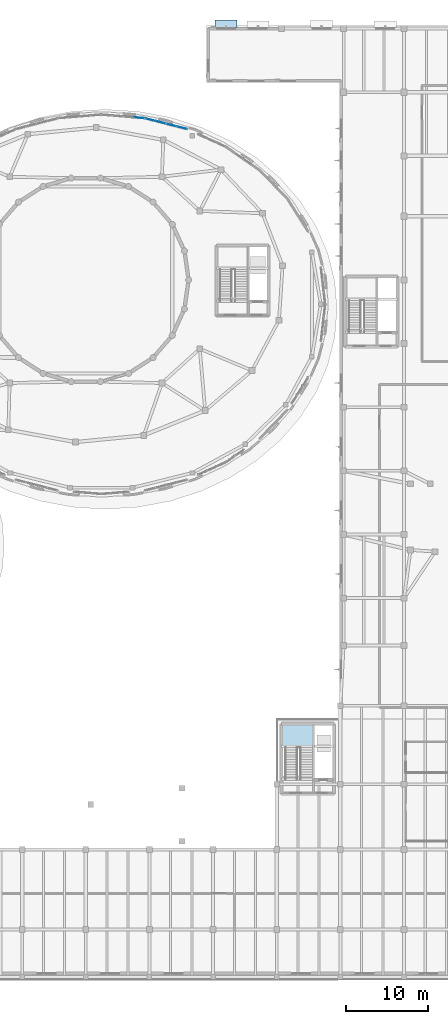
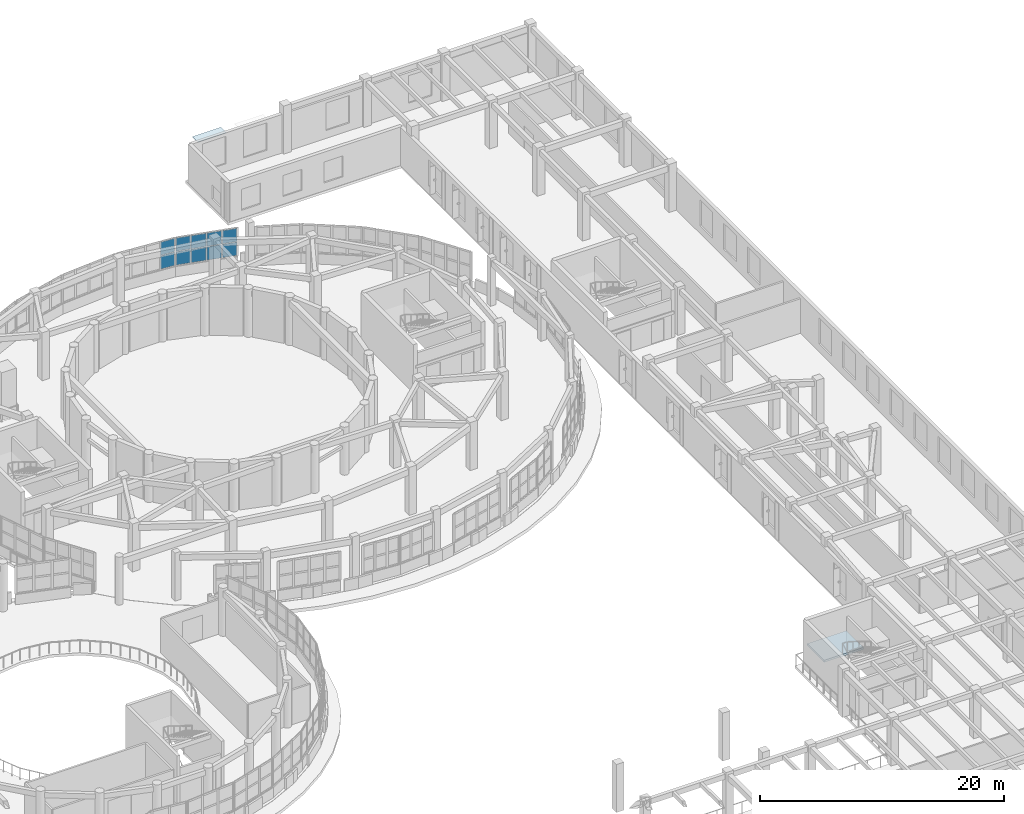
# One storey, part 65 of 98: 11 plates, 1 slab, 3 elements without a shape of their own.
"""IFC4 building model written with IfcOpenShell, lengths in metres."""

import ifcopenshell
import ifcopenshell.guid

model = None  # the IFC model being written
_history = None  # IfcOwnerHistory: only IFC2X3 demands one
_inside = {}  # id of a spatial element -> (the spatial element, [elements in it])
_under = {}  # id of a project, library or spatial element -> (it, [spatial elements below it])
_declared = {}  # id of a project -> (the project, [libraries it declares])
_typed = {}  # id of a type object -> (the type object, [elements of that type])
_made_of = {}  # id of a material, layer set ... -> (it, [elements and type objects made of it])


def new_model(schema):
    """Start an empty IFC model of exactly this schema.

    Asked for "IFC4X3", IfcOpenShell would pick the latest addendum, in which some entities
    have other attributes; the version numbers below select the first issue.
    IFC2X3 requires an IfcOwnerHistory on every rooted entity: one is made here for all.
    """
    global model, _history
    if schema == "IFC4X3":
        model = ifcopenshell.file(schema_version=(4, 3, 0, 0))
    else:
        model = ifcopenshell.file(schema=schema)
    _inside.clear()
    _under.clear()
    _declared.clear()
    _typed.clear()
    _made_of.clear()
    _history = None
    if model.schema == "IFC2X3":
        org = make("IfcOrganization", Name="unknown")
        user = make(
            "IfcPersonAndOrganization",
            ThePerson=make("IfcPerson", FamilyName="unknown"),
            TheOrganization=org,
        )
        app = make(
            "IfcApplication",
            ApplicationDeveloper=org,
            Version="unknown",
            ApplicationFullName="unknown",
            ApplicationIdentifier="unknown",
        )
        _history = make(
            "IfcOwnerHistory",
            OwningUser=user,
            OwningApplication=app,
            ChangeAction="ADDED",
            CreationDate=0,
        )
    return model


def make(cls, **values):
    """One entity of the class cls with the attributes given. An attribute that is None is left unset."""
    return model.create_entity(
        cls, **{name: value for name, value in values.items() if value is not None}
    )


def rooted(cls, **values):
    """An entity with a GlobalId (a new one), such as an element, a storey or a relation."""
    return make(cls, GlobalId=ifcopenshell.guid.new(), OwnerHistory=_history, **values)


def si_unit(unit_type, name, prefix=None):
    """IfcSIUnit, for example si_unit("LENGTHUNIT", "METRE", prefix="MILLI")."""
    return make("IfcSIUnit", UnitType=unit_type, Prefix=prefix, Name=name)


def assignment(units):
    """IfcUnitAssignment: the units of a project."""
    return None if units is None else make("IfcUnitAssignment", Units=units)


def point(xyz):
    """IfcCartesianPoint."""
    return None if xyz is None else make("IfcCartesianPoint", Coordinates=xyz)


def direction(xyz):
    """IfcDirection."""
    return None if xyz is None else make("IfcDirection", DirectionRatios=xyz)


def frame(location, z_axis=None, x_axis=None):
    """IfcAxis2Placement3D, a coordinate frame: its origin and axes. An axis left out is left unset."""
    return make(
        "IfcAxis2Placement3D",
        Location=point(location),
        Axis=direction(z_axis),
        RefDirection=direction(x_axis),
    )


def frame_2d(location, x_axis=None):
    """IfcAxis2Placement2D, a coordinate frame in the plane: its origin and x axis."""
    return make(
        "IfcAxis2Placement2D", Location=point(location), RefDirection=direction(x_axis)
    )


def origin():
    """The frame at (0, 0, 0) with its axes left unset."""
    return frame((0.0, 0.0, 0.0))


def origin_2d():
    """The frame at (0, 0) in the plane with its x axis left unset."""
    return frame_2d((0.0, 0.0))


def place(relative_to, where):
    """IfcLocalPlacement: puts the frame where relative to a parent placement (None: the world)."""
    return make(
        "IfcLocalPlacement", PlacementRelTo=relative_to, RelativePlacement=where
    )


def context(
    kind, dimensions, precision=None, world=None, true_north=None, identifier=None
):
    """IfcGeometricRepresentationContext, for example the 3D "Model" context."""
    return make(
        "IfcGeometricRepresentationContext",
        ContextIdentifier=identifier,
        ContextType=kind,
        CoordinateSpaceDimension=dimensions,
        Precision=precision,
        WorldCoordinateSystem=world,
        TrueNorth=true_north,
    )


def subcontext(parent, identifier, kind, view, scale=None):
    """IfcGeometricRepresentationSubContext, for example "Body" below "Model"."""
    return make(
        "IfcGeometricRepresentationSubContext",
        ContextIdentifier=identifier,
        ContextType=kind,
        ParentContext=parent,
        TargetScale=scale,
        TargetView=view,
    )


def project(units=None, contexts=None):
    """IfcProject with its units and contexts."""
    return rooted(
        "IfcProject",
        Name="project",
        RepresentationContexts=contexts,
        UnitsInContext=assignment(units),
    )


def spatial(cls, under=None, at=None, **own):
    """A site, building, storey or space (cls), placed at a placement, below another one or the project."""
    s = rooted(cls, ObjectPlacement=at, **own)
    if under is not None:
        _under.setdefault(under.id(), (under, []))[1].append(s)
    return s


def polyline(points):
    """IfcPolyline through the points."""
    return make("IfcPolyline", Points=[point(p) for p in points])


def profile(cls, at=None, kind="AREA", **sizes):
    """A parametric profile (cls). Its sizes go by their IFC names, for example OverallWidth=200.0."""
    return make(cls, ProfileType=kind, Position=at, **sizes)


def rectangle(**sizes):
    """IfcRectangleProfileDef."""
    return profile("IfcRectangleProfileDef", **sizes)


def outline(outer, holes=None, kind="AREA"):
    """IfcArbitraryClosedProfileDef: a profile drawn as a closed curve; with holes, ...WithVoids."""
    if holes is None:
        return make("IfcArbitraryClosedProfileDef", ProfileType=kind, OuterCurve=outer)
    return make(
        "IfcArbitraryProfileDefWithVoids",
        ProfileType=kind,
        OuterCurve=outer,
        InnerCurves=holes,
    )


def extrude(swept, where, along, depth):
    """IfcExtrudedAreaSolid: the profile swept, set in the frame where, extruded along a direction by depth."""
    return make(
        "IfcExtrudedAreaSolid",
        SweptArea=swept,
        Position=where,
        ExtrudedDirection=direction(along),
        Depth=depth,
    )


def shape(context_of_items, identifier, shape_type, items):
    """IfcShapeRepresentation: the items that make up one representation, for example the "Body"."""
    return make(
        "IfcShapeRepresentation",
        ContextOfItems=context_of_items,
        RepresentationIdentifier=identifier,
        RepresentationType=shape_type,
        Items=items,
    )


def material(Name=None, Category=None):
    """IfcMaterial."""
    return make("IfcMaterial", Name=Name, Category=Category)


def layer(
    of_material, thickness, ventilated=None, Name=None, Category=None, Priority=None
):
    """IfcMaterialLayer: one layer of a wall or slab, of a material (None: an air gap)."""
    return make(
        "IfcMaterialLayer",
        Material=of_material,
        LayerThickness=thickness,
        IsVentilated=ventilated,
        Name=Name,
        Category=Category,
        Priority=Priority,
    )


def layer_set(layers, Name=None):
    """IfcMaterialLayerSet."""
    return make("IfcMaterialLayerSet", MaterialLayers=layers, LayerSetName=Name)


def made_of(thing, what):
    """Note that an element or type object is made of a material, layer set ...; save() writes the relation."""
    if what is not None:
        _made_of.setdefault(what.id(), (what, []))[1].append(thing)
    return thing


def type_object(cls, material=None, **own):
    """A type object (cls), such as IfcWallType, which elements share."""
    return made_of(rooted(cls, **own), material)


def element(
    cls,
    number,
    at=None,
    inside=None,
    cuts=None,
    type_object=None,
    material=None,
    context=None,
    identifier="Body",
    shape_type=None,
    held_by="IfcProductDefinitionShape",
    body=None,
    shapes=None,
    **own,
):
    """One element of the class cls, such as IfcWall. Its Tag is "e" and its number.

    at: its placement. inside: the storey or other place that contains it. cuts: it is an
    opening in that element (IfcRelVoidsElement). A single representation is given by context,
    identifier, shape_type and body (its items); several are given by shapes. held_by: the class
    of the entity that holds the representations. save() writes the other relations.
    """
    e = rooted(cls, Tag="e%d" % number, ObjectPlacement=at, **own)
    if body is not None:
        shapes = [shape(context, identifier, shape_type, body)]
    if shapes is not None:
        e.Representation = make(held_by, Representations=shapes)
    if inside is not None:
        _inside.setdefault(inside.id(), (inside, []))[1].append(e)
    if cuts is not None:
        rooted(
            "IfcRelVoidsElement", RelatingBuildingElement=cuts, RelatedOpeningElement=e
        )
    if type_object is not None:
        _typed.setdefault(type_object.id(), (type_object, []))[1].append(e)
    return made_of(e, material)


def aggregate(whole, parts):
    """IfcRelAggregates: a whole, such as a stair, and the parts it consists of."""
    return rooted("IfcRelAggregates", RelatingObject=whole, RelatedObjects=parts)


def save(model, path):
    """Write the relations noted so far, then the file.

    IfcRelAggregates (storeys below a building ...), IfcRelContainedInSpatialStructure (elements
    in a storey), IfcRelDefinesByType, IfcRelAssociatesMaterial and IfcRelDeclares: one each for
    every whole, place, type object, material and project.
    """
    for whole, parts in _under.values():
        aggregate(whole, parts)
    for where, things in _inside.values():
        rooted(
            "IfcRelContainedInSpatialStructure",
            RelatedElements=things,
            RelatingStructure=where,
        )
    for kind, things in _typed.values():
        rooted("IfcRelDefinesByType", RelatedObjects=things, RelatingType=kind)
    for what, things in _made_of.values():
        rooted("IfcRelAssociatesMaterial", RelatedObjects=things, RelatingMaterial=what)
    for by, libraries in _declared.values():
        rooted("IfcRelDeclares", RelatingContext=by, RelatedDefinitions=libraries)
    model.write(path)


model = new_model("IFC4")

# Units and contexts
model_context = context("Model", 3, precision=1e-05, world=origin(), true_north=direction((0.0, 1.0)))
body_context = subcontext(model_context, "Body", "Model", "MODEL_VIEW")
ifc_project = project(units=[si_unit("LENGTHUNIT", "METRE"), si_unit("AREAUNIT", "SQUARE_METRE"), si_unit("VOLUMEUNIT", "CUBIC_METRE"), si_unit("PLANEANGLEUNIT", "RADIAN"), si_unit("MASSUNIT", "GRAM", prefix="KILO")], contexts=[model_context])

# Site, building, storey
site_placement = place(None, origin())
site = spatial("IfcSite", under=ifc_project, at=site_placement, CompositionType="ELEMENT")
building_placement = place(site_placement, origin())
building = spatial("IfcBuilding", under=site, at=building_placement, Name="Pelvatis Terrace Science Centre", CompositionType="ELEMENT")
storey_placement = place(building_placement, frame((0.0, 0.0, 5.39990234375)))
storey = spatial("IfcBuildingStorey", under=building, at=storey_placement, Name="L01", CompositionType="ELEMENT", Elevation=5.39990234375)

# Curtain wall, plates
ifc_material_1 = material(Name="Bronze-anodised aluminium and laminated glass", Category="aluminium")
ifc_layer_1 = layer(ifc_material_1, 0.199951171875)
ifc_layer_set_1 = layer_set([ifc_layer_1], Name="Bronze-anodised aluminium and laminated glass")
curtain_wall_type = type_object("IfcCurtainWallType", Name="CW-RIBBON-B", PredefinedType="NOTDEFINED", material=ifc_layer_set_1)
curtain_wall_1_placement = place(storey_placement, origin())
curtain_wall_1 = element("IfcCurtainWall", 1, at=curtain_wall_1_placement, inside=storey, type_object=curtain_wall_type, Name="Ribbon curtain wall CW-131 (L01)", PredefinedType="NOTDEFINED")
ifc_material_2 = material(Name="Low-e laminated solar-control double glazing", Category="glass")
ifc_layer_2 = layer(ifc_material_2, 0.031982421875)
ifc_layer_set_2 = layer_set([ifc_layer_2], Name="Low-e laminated solar-control double glazing")
plate_type_1 = type_object("IfcPlateType", Name="CWP-IGU-32", PredefinedType="CURTAIN_PANEL", material=ifc_layer_set_2)
plate_1_placement = place(storey_placement, frame((120.9453125, 104.44970703125, 1.0849609375), z_axis=(0.0, 0.0, 1.0), x_axis=(-0.968540871852, 0.248854534923, 0.0)))
plate_1 = element("IfcPlate", 2, at=plate_1_placement, type_object=plate_type_1, Name="CW-131 panel 1.1", PredefinedType="CURTAIN_PANEL", context=body_context, shape_type="SweptSolid", body=[
    extrude(rectangle(XDim=1.231689453125, YDim=0.031982421875, at=origin_2d()), origin(), (0.0, 0.0, 1.0), 1.322509765625),
])
plate_2_placement = place(storey_placement, frame((120.9453125, 104.44970703125, 2.47265625), z_axis=(0.0, 0.0, 1.0), x_axis=(-0.968540871852, 0.248854534923, 0.0)))
plate_2 = element("IfcPlate", 3, at=plate_2_placement, type_object=plate_type_1, Name="CW-131 panel 1.2", PredefinedType="CURTAIN_PANEL", context=body_context, shape_type="SweptSolid", body=[
    extrude(rectangle(XDim=1.231689453125, YDim=0.031982421875, at=origin_2d()), origin(), (0.0, 0.0, 1.0), 1.322509765625),
])
plate_3_placement = place(storey_placement, frame((119.673583984375, 104.7763671875, 1.0849609375), z_axis=(0.0, 0.0, 1.0), x_axis=(-0.968540871852, 0.248854534923, 0.0)))
plate_3 = element("IfcPlate", 4, at=plate_3_placement, type_object=plate_type_1, Name="CW-131 panel 2.1", PredefinedType="CURTAIN_PANEL", context=body_context, shape_type="SweptSolid", body=[
    extrude(rectangle(XDim=1.26416015625, YDim=0.031982421875, at=origin_2d()), origin(), (0.0, 0.0, 1.0), 1.322509765625),
])
plate_4_placement = place(storey_placement, frame((119.673583984375, 104.7763671875, 2.47265625), z_axis=(0.0, 0.0, 1.0), x_axis=(-0.968540871852, 0.248854534923, 0.0)))
plate_4 = element("IfcPlate", 5, at=plate_4_placement, type_object=plate_type_1, Name="CW-131 panel 2.2", PredefinedType="CURTAIN_PANEL", context=body_context, shape_type="SweptSolid", body=[
    extrude(rectangle(XDim=1.26416015625, YDim=0.031982421875, at=origin_2d()), origin(), (0.0, 0.0, 1.0), 1.322509765625),
])
plate_5_placement = place(storey_placement, frame((118.38623046875, 105.107177734375, 1.0849609375), z_axis=(0.0, 0.0, 1.0), x_axis=(-0.968540871852, 0.248854534923, 0.0)))
plate_5 = element("IfcPlate", 6, at=plate_5_placement, type_object=plate_type_1, Name="CW-131 panel 3.1", PredefinedType="CURTAIN_PANEL", context=body_context, shape_type="SweptSolid", body=[
    extrude(rectangle(XDim=1.26416015625, YDim=0.031982421875, at=origin_2d()), origin(), (0.0, 0.0, 1.0), 1.322509765625),
])
plate_6_placement = place(storey_placement, frame((118.38623046875, 105.107177734375, 2.47265625), z_axis=(0.0, 0.0, 1.0), x_axis=(-0.968540871852, 0.248854534923, 0.0)))
plate_6 = element("IfcPlate", 7, at=plate_6_placement, type_object=plate_type_1, Name="CW-131 panel 3.2", PredefinedType="CURTAIN_PANEL", context=body_context, shape_type="SweptSolid", body=[
    extrude(rectangle(XDim=1.26416015625, YDim=0.031982421875, at=origin_2d()), origin(), (0.0, 0.0, 1.0), 1.322509765625),
])
plate_7_placement = place(storey_placement, frame((117.11474609375, 105.433837890625, 1.0849609375), z_axis=(0.0, 0.0, 1.0), x_axis=(-0.968540871852, 0.248854534923, 0.0)))
plate_7 = element("IfcPlate", 8, at=plate_7_placement, type_object=plate_type_1, Name="CW-131 panel 4.1", PredefinedType="CURTAIN_PANEL", context=body_context, shape_type="SweptSolid", body=[
    extrude(rectangle(XDim=1.231689453125, YDim=0.031982421875, at=origin_2d()), origin(), (0.0, 0.0, 1.0), 1.322509765625),
])
plate_8_placement = place(storey_placement, frame((117.11474609375, 105.433837890625, 2.47265625), z_axis=(0.0, 0.0, 1.0), x_axis=(-0.968540871852, 0.248854534923, 0.0)))
plate_8 = element("IfcPlate", 9, at=plate_8_placement, type_object=plate_type_1, Name="CW-131 panel 4.2", PredefinedType="CURTAIN_PANEL", context=body_context, shape_type="SweptSolid", body=[
    extrude(rectangle(XDim=1.231689453125, YDim=0.031982421875, at=origin_2d()), origin(), (0.0, 0.0, 1.0), 1.322509765625),
])
aggregate(curtain_wall_1, [plate_1, plate_2, plate_3, plate_4, plate_5, plate_6, plate_7, plate_8])

curtain_wall_2_placement = place(storey_placement, origin())
curtain_wall_2 = element("IfcCurtainWall", 10, at=curtain_wall_2_placement, inside=storey, type_object=curtain_wall_type, Name="Ribbon curtain wall CW-132 (L01)", PredefinedType="NOTDEFINED")
plate_9_placement = place(storey_placement, frame((115.76953125, 105.660400390625, 1.0849609375), z_axis=(0.0, 0.0, 1.0), x_axis=(-0.996539081522, 0.083125561645, 0.0)))
plate_9 = element("IfcPlate", 11, at=plate_9_placement, type_object=plate_type_1, Name="CW-132 panel 1.1", PredefinedType="CURTAIN_PANEL", context=body_context, shape_type="SweptSolid", body=[
    extrude(rectangle(XDim=1.245849609375, YDim=0.031982421875, at=origin_2d()), origin(), (0.0, 0.0, 1.0), 1.322509765625),
])
plate_10_placement = place(storey_placement, frame((115.76953125, 105.660400390625, 2.47265625), z_axis=(0.0, 0.0, 1.0), x_axis=(-0.996539081522, 0.083125561645, 0.0)))
plate_10 = element("IfcPlate", 12, at=plate_10_placement, type_object=plate_type_1, Name="CW-132 panel 1.2", PredefinedType="CURTAIN_PANEL", context=body_context, shape_type="SweptSolid", body=[
    extrude(rectangle(XDim=1.245849609375, YDim=0.031982421875, at=origin_2d()), origin(), (0.0, 0.0, 1.0), 1.322509765625),
])
aggregate(curtain_wall_2, [plate_9, plate_10])

# Plate
ifc_material_3 = material(Name="Perforated architectural bronze sunshade canopy", Category="aluminium")
ifc_layer_3 = layer(ifc_material_3, 0.044921875)
ifc_layer_set_3 = layer_set([ifc_layer_3], Name="Perforated architectural bronze sunshade canopy")
plate_type_2 = type_object("IfcPlateType", Name="PLT-SHD-N900", PredefinedType="SHEET", material=ifc_layer_set_3)
plate_11_placement = place(storey_placement, frame((126.39990234375, 117.202392578125, 3.587646484375), z_axis=(0.0, 0.0, 1.0), x_axis=(1.0, 0.0, 0.0)))
element("IfcPlate", 13, at=plate_11_placement, inside=storey, type_object=plate_type_2, Name="North solar sunshade 038", PredefinedType="SHEET", context=body_context, shape_type="SweptSolid", body=[
    extrude(rectangle(XDim=2.699951171875, YDim=0.89990234375, at=origin_2d()), origin(), (0.0, 0.0, 1.0), 0.044921875),
])

# Stair, slab
ifc_material_4 = material(Name="Concrete C35/45", Category="concrete")
stair_type = type_object("IfcStairType", Name="STR-2RUN-1500-48", PredefinedType="TWO_STRAIGHT_RUN_STAIR", material=ifc_material_4)
stair_placement = place(storey_placement, origin())
stair = element("IfcStair", 14, at=stair_placement, inside=storey, type_object=stair_type, Name="Protected core stair ST-04-L01", PredefinedType="TWO_STRAIGHT_RUN_STAIR")
ifc_material_5 = material(Name="Concrete C35/45", Category="concrete")
ifc_layer_4 = layer(ifc_material_5, 0.199951171875)
ifc_layer_set_4 = layer_set([ifc_layer_4], Name="Concrete C35/45")
slab_type = type_object("IfcSlabType", Name="SLB-LND-200", PredefinedType="LANDING", material=ifc_layer_set_4)
slab_placement = place(storey_placement, frame((0.0, 0.0, 2.2001953125)))
slab = element("IfcSlab", 15, at=slab_placement, type_object=slab_type, Name="ST-04-L01 landing 1", PredefinedType="LANDING", context=body_context, shape_type="SweptSolid", body=[
    extrude(outline(polyline([(133.330078125, 28.5), (137.050048828125, 28.5), (137.050048828125, 31.27001953125), (133.330078125, 31.27001953125), (133.330078125, 28.5)])), origin(), (0.0, 0.0, 1.0), 0.199951171875),
])
aggregate(stair, [slab])

save(model, "model.ifc")
